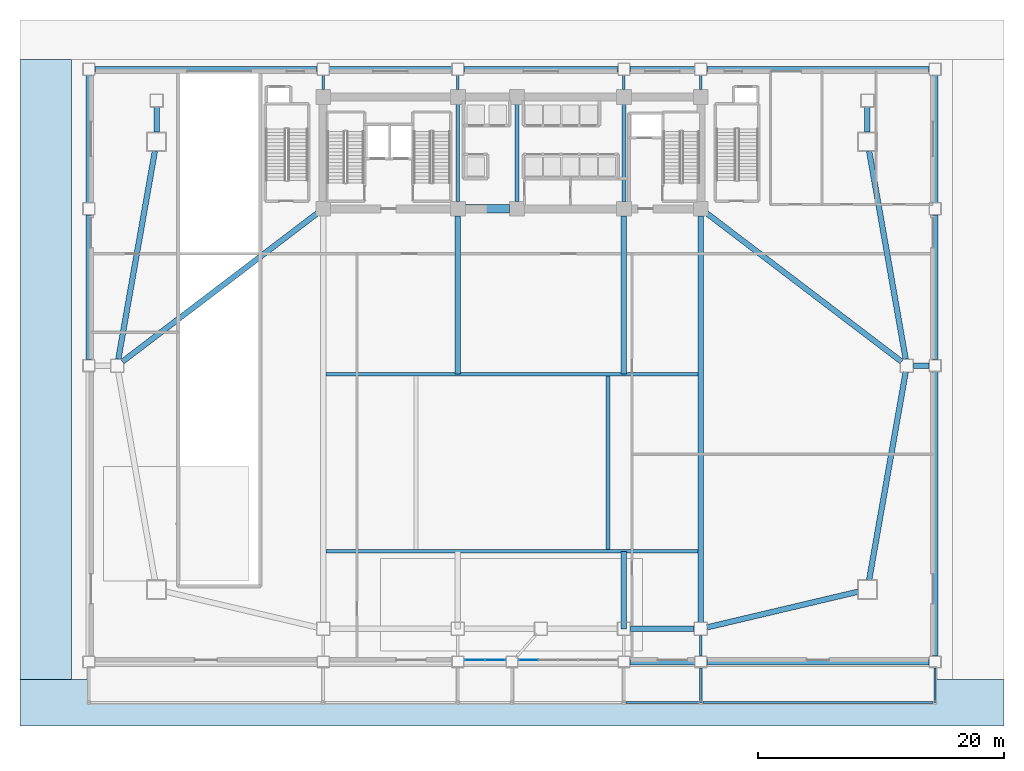
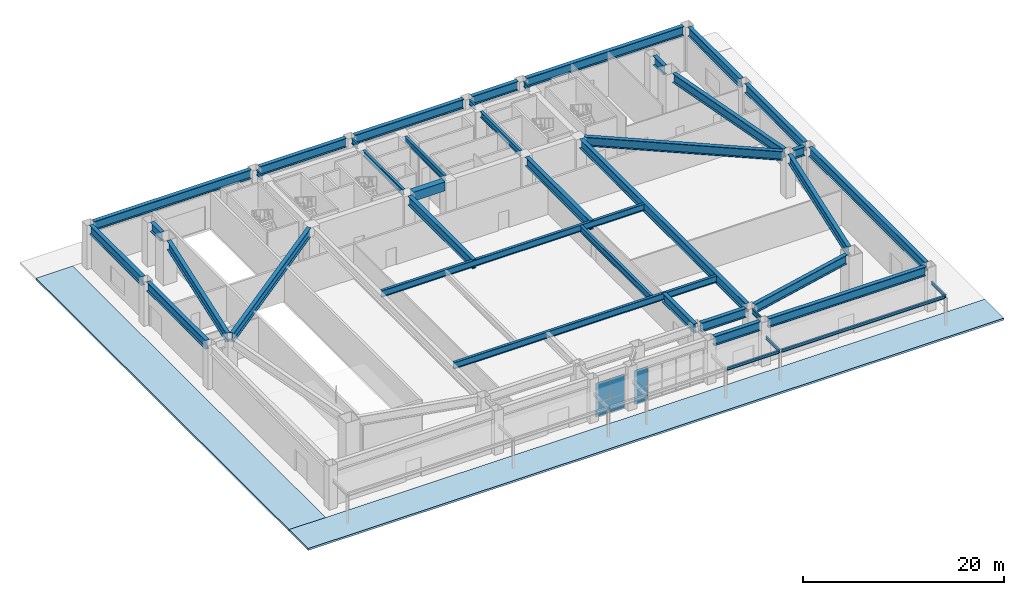
# One storey, part 7 of 18: 42 beams, 6 plates, 2 slabs, 2 elements without a shape of their own.
"""IFC4 building model written with IfcOpenShell, lengths in metres."""

from ifc_helpers import new_model, si_unit, direction, frame, origin, origin_2d, place, context, subcontext, project, spatial, polyline, rectangle, i_section, outline, extrude, source, transform, mapped, material, layer, layer_set, material_profile, profile_set, type_object, element, aggregate, save


model = new_model("IFC4")

# Units and contexts
model_context = context("Model", 3, precision=1e-05, world=origin(), true_north=direction((0.0, 1.0)))
body_context = subcontext(model_context, "Body", "Model", "MODEL_VIEW")
ifc_project = project(units=[si_unit("LENGTHUNIT", "METRE"), si_unit("AREAUNIT", "SQUARE_METRE"), si_unit("VOLUMEUNIT", "CUBIC_METRE"), si_unit("PLANEANGLEUNIT", "RADIAN"), si_unit("MASSUNIT", "GRAM", prefix="KILO")], contexts=[model_context])

# Site, building, storey
site_placement = place(None, origin())
site = spatial("IfcSite", under=ifc_project, at=site_placement, CompositionType="ELEMENT")
building_placement = place(site_placement, origin())
building = spatial("IfcBuilding", under=site, at=building_placement, Name="Giltprow Tower", CompositionType="ELEMENT")
storey_placement = place(building_placement, origin())
storey = spatial("IfcBuildingStorey", under=building, at=storey_placement, Name="L01", CompositionType="ELEMENT", Elevation=0.0)

# Beams
ifc_material_1 = material(Name="Concrete C60", Category="concrete")
ifc_material_profile_1 = material_profile(ifc_material_1, rectangle(XDim=0.699951171875, YDim=1.10009765625, at=origin_2d()), Name="RC 1100x700")
ifc_profile_set_1 = profile_set([ifc_material_profile_1], Name="Concrete C60")
beam_type_1 = type_object("IfcBeamType", Name="BM-CPL-RC1100", PredefinedType="LINTEL", material=ifc_profile_set_1)
shared_shape_1 = source(origin(), body_context, "Body", "SweptSolid", [
    extrude(rectangle(XDim=0.699951171875, YDim=1.10009765625, at=origin_2d()), origin(), (0.0, 0.0, 1.0), 3.6298828125),
])
beam_1_placement = place(storey_placement, frame((31.385009765625, 37.449951171875, 4.7900390625), z_axis=(1.0, 0.0, 0.0), x_axis=(0.0, 1.0, 0.0)))
element("IfcBeam", 1, at=beam_1_placement, inside=storey, type_object=beam_type_1, Name="L01 Core Coupling Beam CB-1", PredefinedType="LINTEL", context=body_context, shape_type="MappedRepresentation", body=[
    mapped(shared_shape_1, transform((0.0, 0.0, 0.0), x_axis=(1.0, 0.0, 0.0), y_axis=(0.0, 1.0, 0.0), z_axis=(0.0, 0.0, 1.0), scale=1.0)),
])
ifc_material_2 = material(Name="Structural steel Q355B", Category="steel")
ifc_material_profile_2 = material_profile(ifc_material_2, i_section(OverallWidth=0.300048828125, OverallDepth=0.699951171875, WebThickness=0.012939453125, FlangeThickness=0.02392578125, at=origin_2d()), Name="HN 700x300x13x24")
ifc_profile_set_2 = profile_set([ifc_material_profile_2], Name="Structural steel Q355B")
beam_type_2 = type_object("IfcBeamType", Name="BM-GIRD-HN700", PredefinedType="BEAM", material=ifc_profile_set_2)
shared_shape_2 = source(origin(), body_context, "Body", "SweptSolid", [
    extrude(i_section(OverallWidth=0.300048828125, OverallDepth=0.699951171875, WebThickness=0.012939453125, FlangeThickness=0.02392578125, at=origin_2d()), origin(), (0.0, 0.0, 1.0), 7.93017578125),
])
for number, where, z_axis, x_axis, name in (
    (2, (30.800048828125, 38.034912109375, 4.989990234375), (0.0, 1.0, 0.0), (-1.0, 0.0, 0.0), "L01 Core Tie Girder M1"),
    (3, (35.60009765625, 38.034912109375, 4.989990234375), (0.0, 1.0, 0.0), (-1.0, 0.0, 0.0), "L01 Core Tie Girder M2"),
    (4, (44.300048828125, 38.034912109375, 4.989990234375), (0.0, 1.0, 0.0), (-1.0, 0.0, 0.0), "L01 Core Tie Girder M3"),
):
    element("IfcBeam", number, at=place(storey_placement, frame(where, z_axis=z_axis, x_axis=x_axis)), inside=storey, type_object=beam_type_2, Name=name, PredefinedType="BEAM", context=body_context, shape_type="MappedRepresentation", body=[
        mapped(shared_shape_2, transform((0.0, 0.0, 0.0), x_axis=(1.0, 0.0, 0.0), y_axis=(0.0, 1.0, 0.0), z_axis=(0.0, 0.0, 1.0), scale=1.0)),
    ])
ifc_material_3 = material(Name="Structural steel Q420GJC", Category="steel")
ifc_material_profile_3 = material_profile(ifc_material_3, i_section(OverallWidth=0.449951171875, OverallDepth=1.10009765625, WebThickness=0.02587890625, FlangeThickness=0.0419921875, at=origin_2d()), Name="WH 1100x450x26x42")
ifc_profile_set_3 = profile_set([ifc_material_profile_3], Name="Structural steel Q420GJC")
beam_type_3 = type_object("IfcBeamType", Name="BM-GIRD-WH1100", PredefinedType="BEAM", material=ifc_profile_set_3)
shared_shape_3 = source(origin(), body_context, "Body", "SweptSolid", [
    extrude(i_section(OverallWidth=0.449951171875, OverallDepth=1.10009765625, WebThickness=0.02587890625, FlangeThickness=0.0419921875, at=origin_2d()), origin(), (0.0, 0.0, 1.0), 5.179931640625),
])
beam_2_placement = place(storey_placement, frame((44.8349609375, 3.300048828125, 4.7900390625), z_axis=(1.0, 0.0, 0.0), x_axis=(0.0, 1.0, 0.0)))
element("IfcBeam", 5, at=beam_2_placement, inside=storey, type_object=beam_type_3, Name="L01 Tower Base Ring Girder 5", PredefinedType="BEAM", context=body_context, shape_type="MappedRepresentation", body=[
    mapped(shared_shape_3, transform((0.0, 0.0, 0.0), x_axis=(1.0, 0.0, 0.0), y_axis=(0.0, 1.0, 0.0), z_axis=(0.0, 0.0, 1.0), scale=1.0)),
])
shared_shape_4 = source(origin(), body_context, "Body", "SweptSolid", [
    extrude(i_section(OverallWidth=0.449951171875, OverallDepth=1.10009765625, WebThickness=0.02587890625, FlangeThickness=0.0419921875, at=origin_2d()), origin(), (0.0, 0.0, 1.0), 12.602294921875),
])
beam_3_placement = place(storey_placement, frame((51.071044921875, 3.423095703125, 4.7900390625), z_axis=(0.973220162017, 0.229875001344, 0.0), x_axis=(-0.229875001344, 0.973220162017, 0.0)))
element("IfcBeam", 6, at=beam_3_placement, inside=storey, type_object=beam_type_3, Name="L01 Tower Base Ring Girder 6", PredefinedType="BEAM", context=body_context, shape_type="MappedRepresentation", body=[
    mapped(shared_shape_4, transform((0.0, 0.0, 0.0), x_axis=(1.0, 0.0, 0.0), y_axis=(0.0, 1.0, 0.0), z_axis=(0.0, 0.0, 1.0), scale=1.0)),
])
shared_shape_5 = source(origin(), body_context, "Body", "SweptSolid", [
    extrude(i_section(OverallWidth=0.449951171875, OverallDepth=1.10009765625, WebThickness=0.02587890625, FlangeThickness=0.0419921875, at=origin_2d()), origin(), (0.0, 0.0, 1.0), 17.1591796875),
])
beam_4_placement = place(storey_placement, frame((64.236083984375, 7.27294921875, 4.7900390625), z_axis=(0.173139216532, 0.984897360997, 0.0), x_axis=(-0.984897360997, 0.173139216532, 0.0)))
element("IfcBeam", 7, at=beam_4_placement, inside=storey, type_object=beam_type_3, Name="L01 Tower Base Ring Girder 7", PredefinedType="BEAM", context=body_context, shape_type="MappedRepresentation", body=[
    mapped(shared_shape_5, transform((0.0, 0.0, 0.0), x_axis=(1.0, 0.0, 0.0), y_axis=(0.0, 1.0, 0.0), z_axis=(0.0, 0.0, 1.0), scale=1.0)),
])
shared_shape_6 = source(origin(), body_context, "Body", "SweptSolid", [
    extrude(i_section(OverallWidth=0.449951171875, OverallDepth=1.10009765625, WebThickness=0.02587890625, FlangeThickness=0.0419921875, at=origin_2d()), origin(), (0.0, 0.0, 1.0), 17.158935546875),
])
for number, where, z_axis, x_axis, name in (
    (8, (67.20703125, 25.22705078125, 4.7900390625), (-0.173141642767, 0.984896934476, 0.0), (-0.984896934476, -0.173141642767, 0.0), "L01 Tower Base Ring Girder 8"),
    (9, (6.1640625, 42.126953125, 4.7900390625), (-0.173141642767, -0.984896934476, 0.0), (0.984896934476, -0.173141642767, 0.0), "L01 Tower Base Ring Girder 11"),
):
    element("IfcBeam", number, at=place(storey_placement, frame(where, z_axis=z_axis, x_axis=x_axis)), inside=storey, type_object=beam_type_3, Name=name, PredefinedType="BEAM", context=body_context, shape_type="MappedRepresentation", body=[
        mapped(shared_shape_6, transform((0.0, 0.0, 0.0), x_axis=(1.0, 0.0, 0.0), y_axis=(0.0, 1.0, 0.0), z_axis=(0.0, 0.0, 1.0), scale=1.0)),
    ])
shared_shape_7 = source(origin(), body_context, "Body", "SweptSolid", [
    extrude(i_section(OverallWidth=0.449951171875, OverallDepth=1.10009765625, WebThickness=0.02587890625, FlangeThickness=0.0419921875, at=origin_2d()), origin(), (0.0, 0.0, 1.0), 2.030029296875),
])
for number, where, z_axis, x_axis, name in (
    (10, (64.10009765625, 43.68505859375, 4.7900390625), (0.0, 1.0, 0.0), (-1.0, 0.0, 0.0), "L01 Tower Base Ring Girder 9"),
    (11, (6.300048828125, 45.715087890625, 4.7900390625), (0.0, -1.0, 0.0), (1.0, 0.0, 0.0), "L01 Tower Base Ring Girder 10"),
):
    element("IfcBeam", number, at=place(storey_placement, frame(where, z_axis=z_axis, x_axis=x_axis)), inside=storey, type_object=beam_type_3, Name=name, PredefinedType="BEAM", context=body_context, shape_type="MappedRepresentation", body=[
        mapped(shared_shape_7, transform((0.0, 0.0, 0.0), x_axis=(1.0, 0.0, 0.0), y_axis=(0.0, 1.0, 0.0), z_axis=(0.0, 0.0, 1.0), scale=1.0)),
    ])
shared_shape_8 = source(origin(), body_context, "Body", "SweptSolid", [
    extrude(i_section(OverallWidth=0.449951171875, OverallDepth=1.10009765625, WebThickness=0.02587890625, FlangeThickness=0.0419921875, at=origin_2d()), origin(), (0.0, 0.0, 1.0), 33.030029296875),
])
beam_5_placement = place(storey_placement, frame((50.550048828125, 3.8349609375, 4.7900390625), z_axis=(0.0, 1.0, 0.0), x_axis=(-1.0, 0.0, 0.0)))
element("IfcBeam", 12, at=beam_5_placement, inside=storey, type_object=beam_type_3, Name="L01 Primary Podium Span Girder S4", PredefinedType="BEAM", context=body_context, shape_type="MappedRepresentation", body=[
    mapped(shared_shape_8, transform((0.0, 0.0, 0.0), x_axis=(1.0, 0.0, 0.0), y_axis=(0.0, 1.0, 0.0), z_axis=(0.0, 0.0, 1.0), scale=1.0)),
])
shared_shape_9 = source(origin(), body_context, "Body", "SweptSolid", [
    extrude(i_section(OverallWidth=0.449951171875, OverallDepth=1.10009765625, WebThickness=0.02587890625, FlangeThickness=0.0419921875, at=origin_2d()), origin(), (0.0, 0.0, 1.0), 19.930908203125),
])
for number, where, z_axis, x_axis, name in (
    (13, (3.52587890625, 25.02392578125, 4.7900390625), (0.795700739064, 0.605689965124, 0.0), (-0.605689965124, 0.795700739064, 0.0), "L01 West Tie 2"),
    (14, (51.014892578125, 37.095947265625, 4.7900390625), (0.795700739064, -0.605689965124, 0.0), (0.605689965124, 0.795700739064, 0.0), "L01 East Tie 2"),
):
    element("IfcBeam", number, at=place(storey_placement, frame(where, z_axis=z_axis, x_axis=x_axis)), inside=storey, type_object=beam_type_3, Name=name, PredefinedType="BEAM", context=body_context, shape_type="MappedRepresentation", body=[
        mapped(shared_shape_9, transform((0.0, 0.0, 0.0), x_axis=(1.0, 0.0, 0.0), y_axis=(0.0, 1.0, 0.0), z_axis=(0.0, 0.0, 1.0), scale=1.0)),
    ])
shared_shape_10 = source(origin(), body_context, "Body", "SweptSolid", [
    extrude(i_section(OverallWidth=0.449951171875, OverallDepth=1.10009765625, WebThickness=0.02587890625, FlangeThickness=0.0419921875, at=origin_2d()), origin(), (0.0, 0.0, 1.0), 18.080078125),
])
for number, where, z_axis, x_axis, name in (
    (15, (51.034912109375, 0.60009765625, 4.7900390625), (1.0, 0.0, 0.0), (0.0, 1.0, 0.0), "L01 Podium South Edge Girder"),
    (16, (1.284912109375, 48.800048828125, 4.7900390625), (1.0, 0.0, 0.0), (0.0, 1.0, 0.0), "L01 Podium North Edge Girder"),
    (17, (51.034912109375, 48.800048828125, 4.7900390625), (1.0, 0.0, 0.0), (0.0, 1.0, 0.0), "L01 Podium North Edge Girder"),
):
    element("IfcBeam", number, at=place(storey_placement, frame(where, z_axis=z_axis, x_axis=x_axis)), inside=storey, type_object=beam_type_3, Name=name, PredefinedType="BEAM", context=body_context, shape_type="MappedRepresentation", body=[
        mapped(shared_shape_10, transform((0.0, 0.0, 0.0), x_axis=(1.0, 0.0, 0.0), y_axis=(0.0, 1.0, 0.0), z_axis=(0.0, 0.0, 1.0), scale=1.0)),
    ])
shared_shape_11 = source(origin(), body_context, "Body", "SweptSolid", [
    extrude(i_section(OverallWidth=0.449951171875, OverallDepth=1.10009765625, WebThickness=0.02587890625, FlangeThickness=0.0419921875, at=origin_2d()), origin(), (0.0, 0.0, 1.0), 9.97998046875),
])
beam_6_placement = place(storey_placement, frame((20.3349609375, 48.800048828125, 4.7900390625), z_axis=(1.0, 0.0, 0.0), x_axis=(0.0, 1.0, 0.0)))
element("IfcBeam", 18, at=beam_6_placement, inside=storey, type_object=beam_type_3, Name="L01 Podium North Edge Girder", PredefinedType="BEAM", context=body_context, shape_type="MappedRepresentation", body=[
    mapped(shared_shape_11, transform((0.0, 0.0, 0.0), x_axis=(1.0, 0.0, 0.0), y_axis=(0.0, 1.0, 0.0), z_axis=(0.0, 0.0, 1.0), scale=1.0)),
])
shared_shape_12 = source(origin(), body_context, "Body", "SweptSolid", [
    extrude(i_section(OverallWidth=0.449951171875, OverallDepth=1.10009765625, WebThickness=0.02587890625, FlangeThickness=0.0419921875, at=origin_2d()), origin(), (0.0, 0.0, 1.0), 5.280029296875),
])
for number, where, z_axis, x_axis, name in (
    (19, (44.784912109375, 0.60009765625, 4.7900390625), (1.0, 0.0, 0.0), (0.0, 1.0, 0.0), "L01 Podium South Edge Girder"),
    (20, (44.784912109375, 48.800048828125, 4.7900390625), (1.0, 0.0, 0.0), (0.0, 1.0, 0.0), "L01 Podium North Edge Girder"),
):
    element("IfcBeam", number, at=place(storey_placement, frame(where, z_axis=z_axis, x_axis=x_axis)), inside=storey, type_object=beam_type_3, Name=name, PredefinedType="BEAM", context=body_context, shape_type="MappedRepresentation", body=[
        mapped(shared_shape_12, transform((0.0, 0.0, 0.0), x_axis=(1.0, 0.0, 0.0), y_axis=(0.0, 1.0, 0.0), z_axis=(0.0, 0.0, 1.0), scale=1.0)),
    ])
shared_shape_13 = source(origin(), body_context, "Body", "SweptSolid", [
    extrude(i_section(OverallWidth=0.449951171875, OverallDepth=1.10009765625, WebThickness=0.02587890625, FlangeThickness=0.0419921875, at=origin_2d()), origin(), (0.0, 0.0, 1.0), 12.530029296875),
])
beam_7_placement = place(storey_placement, frame((31.284912109375, 48.800048828125, 4.7900390625), z_axis=(1.0, 0.0, 0.0), x_axis=(0.0, 1.0, 0.0)))
element("IfcBeam", 21, at=beam_7_placement, inside=storey, type_object=beam_type_3, Name="L01 Podium North Edge Girder", PredefinedType="BEAM", context=body_context, shape_type="MappedRepresentation", body=[
    mapped(shared_shape_13, transform((0.0, 0.0, 0.0), x_axis=(1.0, 0.0, 0.0), y_axis=(0.0, 1.0, 0.0), z_axis=(0.0, 0.0, 1.0), scale=1.0)),
])
shared_shape_14 = source(origin(), body_context, "Body", "SweptSolid", [
    extrude(i_section(OverallWidth=0.449951171875, OverallDepth=1.10009765625, WebThickness=0.02587890625, FlangeThickness=0.0419921875, at=origin_2d()), origin(), (0.0, 0.0, 1.0), 23.130126953125),
])
beam_8_placement = place(storey_placement, frame((69.60009765625, 1.0849609375, 4.7900390625), z_axis=(0.0, 1.0, 0.0), x_axis=(-1.0, 0.0, 0.0)))
element("IfcBeam", 22, at=beam_8_placement, inside=storey, type_object=beam_type_3, Name="L01 Podium Side Girder", PredefinedType="BEAM", context=body_context, shape_type="MappedRepresentation", body=[
    mapped(shared_shape_14, transform((0.0, 0.0, 0.0), x_axis=(1.0, 0.0, 0.0), y_axis=(0.0, 1.0, 0.0), z_axis=(0.0, 0.0, 1.0), scale=1.0)),
])
shared_shape_15 = source(origin(), body_context, "Body", "SweptSolid", [
    extrude(i_section(OverallWidth=0.449951171875, OverallDepth=1.10009765625, WebThickness=0.02587890625, FlangeThickness=0.0419921875, at=origin_2d()), origin(), (0.0, 0.0, 1.0), 11.780029296875),
])
for number, where, z_axis, x_axis, name in (
    (23, (0.800048828125, 25.18505859375, 4.7900390625), (0.0, 1.0, 0.0), (-1.0, 0.0, 0.0), "L01 Podium Side Girder"),
    (24, (69.60009765625, 25.18505859375, 4.7900390625), (0.0, 1.0, 0.0), (-1.0, 0.0, 0.0), "L01 Podium Side Girder"),
):
    element("IfcBeam", number, at=place(storey_placement, frame(where, z_axis=z_axis, x_axis=x_axis)), inside=storey, type_object=beam_type_3, Name=name, PredefinedType="BEAM", context=body_context, shape_type="MappedRepresentation", body=[
        mapped(shared_shape_15, transform((0.0, 0.0, 0.0), x_axis=(1.0, 0.0, 0.0), y_axis=(0.0, 1.0, 0.0), z_axis=(0.0, 0.0, 1.0), scale=1.0)),
    ])
shared_shape_16 = source(origin(), body_context, "Body", "SweptSolid", [
    extrude(i_section(OverallWidth=0.449951171875, OverallDepth=1.10009765625, WebThickness=0.02587890625, FlangeThickness=0.0419921875, at=origin_2d()), origin(), (0.0, 0.0, 1.0), 10.3798828125),
])
for number, where, z_axis, x_axis, name in (
    (25, (0.800048828125, 37.93505859375, 4.7900390625), (0.0, 1.0, 0.0), (-1.0, 0.0, 0.0), "L01 Podium Side Girder"),
    (26, (69.60009765625, 37.93505859375, 4.7900390625), (0.0, 1.0, 0.0), (-1.0, 0.0, 0.0), "L01 Podium Side Girder"),
):
    element("IfcBeam", number, at=place(storey_placement, frame(where, z_axis=z_axis, x_axis=x_axis)), inside=storey, type_object=beam_type_3, Name=name, PredefinedType="BEAM", context=body_context, shape_type="MappedRepresentation", body=[
        mapped(shared_shape_16, transform((0.0, 0.0, 0.0), x_axis=(1.0, 0.0, 0.0), y_axis=(0.0, 1.0, 0.0), z_axis=(0.0, 0.0, 1.0), scale=1.0)),
    ])
ifc_material_profile_4 = material_profile(ifc_material_2, i_section(OverallWidth=0.199951171875, OverallDepth=0.60009765625, WebThickness=0.010986328125, FlangeThickness=0.01708984375, at=origin_2d()), Name="HN 600x200x11x17")
ifc_profile_set_4 = profile_set([ifc_material_profile_4], Name="Structural steel Q355B")
beam_type_4 = type_object("IfcBeamType", Name="BM-GIRD-HN600", PredefinedType="BEAM", material=ifc_profile_set_4)
shared_shape_17 = source(origin(), body_context, "Body", "SweptSolid", [
    extrude(i_section(OverallWidth=0.199951171875, OverallDepth=0.60009765625, WebThickness=0.010986328125, FlangeThickness=0.01708984375, at=origin_2d()), origin(), (0.0, 0.0, 1.0), 1.679931640625),
])
beam_9_placement = place(storey_placement, frame((50.550048828125, 1.0849609375, 5.0400390625), z_axis=(0.0, 1.0, 0.0), x_axis=(-1.0, 0.0, 0.0)))
element("IfcBeam", 27, at=beam_9_placement, inside=storey, type_object=beam_type_4, Name="L01 South Perimeter Tie S4", PredefinedType="BEAM", context=body_context, shape_type="MappedRepresentation", body=[
    mapped(shared_shape_17, transform((0.0, 0.0, 0.0), x_axis=(1.0, 0.0, 0.0), y_axis=(0.0, 1.0, 0.0), z_axis=(0.0, 0.0, 1.0), scale=1.0)),
])
shared_shape_18 = source(origin(), body_context, "Body", "SweptSolid", [
    extrude(i_section(OverallWidth=0.199951171875, OverallDepth=0.60009765625, WebThickness=0.010986328125, FlangeThickness=0.01708984375, at=origin_2d()), origin(), (0.0, 0.0, 1.0), 1.179931640625),
])
for number, where, z_axis, x_axis, name in (
    (28, (19.85009765625, 47.135009765625, 5.0400390625), (0.0, 1.0, 0.0), (-1.0, 0.0, 0.0), "L01 North Perimeter Tie S1"),
    (29, (30.800048828125, 47.135009765625, 5.0400390625), (0.0, 1.0, 0.0), (-1.0, 0.0, 0.0), "L01 North Perimeter Tie S2"),
    (30, (44.300048828125, 47.135009765625, 5.0400390625), (0.0, 1.0, 0.0), (-1.0, 0.0, 0.0), "L01 North Perimeter Tie S3"),
    (31, (50.550048828125, 47.135009765625, 5.0400390625), (0.0, 1.0, 0.0), (-1.0, 0.0, 0.0), "L01 North Perimeter Tie S4"),
):
    element("IfcBeam", number, at=place(storey_placement, frame(where, z_axis=z_axis, x_axis=x_axis)), inside=storey, type_object=beam_type_4, Name=name, PredefinedType="BEAM", context=body_context, shape_type="MappedRepresentation", body=[
        mapped(shared_shape_18, transform((0.0, 0.0, 0.0), x_axis=(1.0, 0.0, 0.0), y_axis=(0.0, 1.0, 0.0), z_axis=(0.0, 0.0, 1.0), scale=1.0)),
    ])
shared_shape_19 = source(origin(), body_context, "Body", "SweptSolid", [
    extrude(i_section(OverallWidth=0.449951171875, OverallDepth=1.10009765625, WebThickness=0.02587890625, FlangeThickness=0.0419921875, at=origin_2d()), origin(), (0.0, 0.0, 1.0), 6.300048828125),
])
beam_10_placement = place(storey_placement, frame((44.300048828125, 3.300048828125, 4.7900390625), z_axis=(0.0, 1.0, 0.0), x_axis=(-1.0, 0.0, 0.0)))
element("IfcBeam", 32, at=beam_10_placement, inside=storey, type_object=beam_type_3, Name="L01 Atrium South Girder S3", PredefinedType="BEAM", context=body_context, shape_type="MappedRepresentation", body=[
    mapped(shared_shape_19, transform((0.0, 0.0, 0.0), x_axis=(1.0, 0.0, 0.0), y_axis=(0.0, 1.0, 0.0), z_axis=(0.0, 0.0, 1.0), scale=1.0)),
])
shared_shape_20 = source(origin(), body_context, "Body", "SweptSolid", [
    extrude(i_section(OverallWidth=0.449951171875, OverallDepth=1.10009765625, WebThickness=0.02587890625, FlangeThickness=0.0419921875, at=origin_2d()), origin(), (0.0, 0.0, 1.0), 12.85009765625),
])
for number, where, z_axis, x_axis, name in (
    (33, (30.800048828125, 24.0, 4.7900390625), (0.0, 1.0, 0.0), (-1.0, 0.0, 0.0), "L01 Atrium North Girder S2"),
    (34, (44.300048828125, 24.0, 4.7900390625), (0.0, 1.0, 0.0), (-1.0, 0.0, 0.0), "L01 Atrium North Girder S3"),
):
    element("IfcBeam", number, at=place(storey_placement, frame(where, z_axis=z_axis, x_axis=x_axis)), inside=storey, type_object=beam_type_3, Name=name, PredefinedType="BEAM", context=body_context, shape_type="MappedRepresentation", body=[
        mapped(shared_shape_20, transform((0.0, 0.0, 0.0), x_axis=(1.0, 0.0, 0.0), y_axis=(0.0, 1.0, 0.0), z_axis=(0.0, 0.0, 1.0), scale=1.0)),
    ])
shared_shape_21 = source(origin(), body_context, "Body", "SweptSolid", [
    extrude(i_section(OverallWidth=0.449951171875, OverallDepth=1.10009765625, WebThickness=0.02587890625, FlangeThickness=0.0419921875, at=origin_2d()), origin(), (0.0, 0.0, 1.0), 1.280029296875),
])
beam_11_placement = place(storey_placement, frame((67.8349609375, 24.699951171875, 4.7900390625), z_axis=(1.0, 0.0, 0.0), x_axis=(0.0, 1.0, 0.0)))
element("IfcBeam", 35, at=beam_11_placement, inside=storey, type_object=beam_type_3, Name="L01 East Tie 1", PredefinedType="BEAM", context=body_context, shape_type="MappedRepresentation", body=[
    mapped(shared_shape_21, transform((0.0, 0.0, 0.0), x_axis=(1.0, 0.0, 0.0), y_axis=(0.0, 1.0, 0.0), z_axis=(0.0, 0.0, 1.0), scale=1.0)),
])
ifc_material_profile_5 = material_profile(ifc_material_2, i_section(OverallWidth=0.300048828125, OverallDepth=0.800048828125, WebThickness=0.013916015625, FlangeThickness=0.02587890625, at=origin_2d()), Name="HN 800x300x14x26")
ifc_profile_set_5 = profile_set([ifc_material_profile_5], Name="Structural steel Q355B")
beam_type_5 = type_object("IfcBeamType", Name="BM-GIRD-HN800", PredefinedType="BEAM", material=ifc_profile_set_5)
shared_shape_22 = source(origin(), body_context, "Body", "SweptSolid", [
    extrude(i_section(OverallWidth=0.300048828125, OverallDepth=0.800048828125, WebThickness=0.013916015625, FlangeThickness=0.02587890625, at=origin_2d()), origin(), (0.0, 0.0, 1.0), 30.260009765625),
])
for number, where, z_axis, x_axis, name in (
    (36, (20.070068359375, 9.60009765625, 4.93994140625), (1.0, 0.0, 0.0), (0.0, 1.0, 0.0), "L01 Atrium Edge Girder S"),
    (37, (20.070068359375, 24.0, 4.93994140625), (1.0, 0.0, 0.0), (0.0, 1.0, 0.0), "L01 Atrium Edge Girder N"),
):
    element("IfcBeam", number, at=place(storey_placement, frame(where, z_axis=z_axis, x_axis=x_axis)), inside=storey, type_object=beam_type_5, Name=name, PredefinedType="BEAM", context=body_context, shape_type="MappedRepresentation", body=[
        mapped(shared_shape_22, transform((0.0, 0.0, 0.0), x_axis=(1.0, 0.0, 0.0), y_axis=(0.0, 1.0, 0.0), z_axis=(0.0, 0.0, 1.0), scale=1.0)),
    ])
shared_shape_23 = source(origin(), body_context, "Body", "SweptSolid", [
    extrude(i_section(OverallWidth=0.300048828125, OverallDepth=0.800048828125, WebThickness=0.013916015625, FlangeThickness=0.02587890625, at=origin_2d()), origin(), (0.0, 0.0, 1.0), 14.10009765625),
])
beam_12_placement = place(storey_placement, frame((43.0, 9.75, 4.93994140625), z_axis=(0.0, 1.0, 0.0), x_axis=(-1.0, 0.0, 0.0)))
element("IfcBeam", 38, at=beam_12_placement, inside=storey, type_object=beam_type_5, Name="L01 Atrium Edge Girder E", PredefinedType="BEAM", context=body_context, shape_type="MappedRepresentation", body=[
    mapped(shared_shape_23, transform((0.0, 0.0, 0.0), x_axis=(1.0, 0.0, 0.0), y_axis=(0.0, 1.0, 0.0), z_axis=(0.0, 0.0, 1.0), scale=1.0)),
])
ifc_material_profile_6 = material_profile(ifc_material_2, i_section(OverallWidth=0.175048828125, OverallDepth=0.35009765625, WebThickness=0.007080078125, FlangeThickness=0.010986328125, at=origin_2d()), Name="HN 350x175x7x11")
ifc_profile_set_6 = profile_set([ifc_material_profile_6], Name="Structural steel Q355B")
beam_type_6 = type_object("IfcBeamType", Name="BM-CANOPY-ARM", PredefinedType="BEAM", material=ifc_profile_set_6)
shared_shape_24 = source(origin(), body_context, "Body", "SweptSolid", [
    extrude(i_section(OverallWidth=0.175048828125, OverallDepth=0.35009765625, WebThickness=0.007080078125, FlangeThickness=0.010986328125, at=origin_2d()), origin(), (0.0, 0.0, 1.0), 2.81005859375),
])
for number, where, z_axis, x_axis, name in (
    (39, (50.550048828125, -2.699951171875, 3.445068359375), (0.0, 1.0, 0.0), (-1.0, 0.0, 0.0), "Promenade Canopy Arm 6"),
    (40, (69.60009765625, -2.699951171875, 3.445068359375), (0.0, 1.0, 0.0), (-1.0, 0.0, 0.0), "Promenade Canopy Arm 7"),
):
    element("IfcBeam", number, at=place(storey_placement, frame(where, z_axis=z_axis, x_axis=x_axis)), inside=storey, type_object=beam_type_6, Name=name, PredefinedType="BEAM", context=body_context, shape_type="MappedRepresentation", body=[
        mapped(shared_shape_24, transform((0.0, 0.0, 0.0), x_axis=(1.0, 0.0, 0.0), y_axis=(0.0, 1.0, 0.0), z_axis=(0.0, 0.0, 1.0), scale=1.0)),
    ])
shared_shape_25 = source(origin(), body_context, "Body", "SweptSolid", [
    extrude(i_section(OverallWidth=0.175048828125, OverallDepth=0.35009765625, WebThickness=0.007080078125, FlangeThickness=0.010986328125, at=origin_2d()), origin(), (0.0, 0.0, 1.0), 18.72998046875),
])
beam_13_placement = place(storey_placement, frame((50.7099609375, -2.699951171875, 3.445068359375), z_axis=(1.0, 0.0, 0.0), x_axis=(0.0, 1.0, 0.0)))
element("IfcBeam", 41, at=beam_13_placement, inside=storey, type_object=beam_type_6, Name="Promenade Canopy Tie Beam 6", PredefinedType="BEAM", context=body_context, shape_type="MappedRepresentation", body=[
    mapped(shared_shape_25, transform((0.0, 0.0, 0.0), x_axis=(1.0, 0.0, 0.0), y_axis=(0.0, 1.0, 0.0), z_axis=(0.0, 0.0, 1.0), scale=1.0)),
])
shared_shape_26 = source(origin(), body_context, "Body", "SweptSolid", [
    extrude(i_section(OverallWidth=0.175048828125, OverallDepth=0.35009765625, WebThickness=0.007080078125, FlangeThickness=0.010986328125, at=origin_2d()), origin(), (0.0, 0.0, 1.0), 5.929931640625),
])
beam_14_placement = place(storey_placement, frame((44.4599609375, -2.699951171875, 3.445068359375), z_axis=(1.0, 0.0, 0.0), x_axis=(0.0, 1.0, 0.0)))
element("IfcBeam", 42, at=beam_14_placement, inside=storey, type_object=beam_type_6, Name="Promenade Canopy Tie Beam 5", PredefinedType="BEAM", context=body_context, shape_type="MappedRepresentation", body=[
    mapped(shared_shape_26, transform((0.0, 0.0, 0.0), x_axis=(1.0, 0.0, 0.0), y_axis=(0.0, 1.0, 0.0), z_axis=(0.0, 0.0, 1.0), scale=1.0)),
])

# Slabs
ifc_material_4 = material(Name="Concrete C40", Category="concrete")
ifc_layer_1 = layer(ifc_material_4, 0.239990234375, Name="Concrete C40")
ifc_layer_set_1 = layer_set([ifc_layer_1], Name="Concrete C40")
slab_type = type_object("IfcSlabType", Name="SLB-PROM-PAVING-240", PredefinedType="USERDEFINED", material=ifc_layer_set_1)
slab_1_placement = place(storey_placement, frame((0.0, 0.0, -0.239990234375)))
element("IfcSlab", 43, at=slab_1_placement, inside=storey, type_object=slab_type, Name="Haihe Riverfront Granite Promenade Plaza South", ObjectType="PAVING", PredefinedType="USERDEFINED", context=body_context, shape_type="SweptSolid", body=[
    extrude(outline(polyline([(-4.800048828125, -4.60009765625), (75.199951171875, -4.60009765625), (75.199951171875, -0.800048828125), (-4.800048828125, -0.800048828125), (-4.800048828125, -4.60009765625)])), origin(), (0.0, 0.0, 1.0), 0.239990234375),
])
slab_2_placement = place(storey_placement, frame((0.0, 0.0, -0.239990234375)))
element("IfcSlab", 44, at=slab_2_placement, inside=storey, type_object=slab_type, Name="West Podium Pedestrian Sidewalk", ObjectType="PAVING", PredefinedType="USERDEFINED", context=body_context, shape_type="SweptSolid", body=[
    extrude(outline(polyline([(-4.800048828125, -0.800048828125), (-0.60009765625, -0.800048828125), (-0.60009765625, 49.60009765625), (-4.800048828125, 49.60009765625), (-4.800048828125, -0.800048828125)])), origin(), (0.0, 0.0, 1.0), 0.239990234375),
])

# Curtain wall, plates
ifc_material_5 = material(Name="Anodized bronze", Category="metal")
ifc_layer_2 = layer(ifc_material_5, 0.179931640625, Name="Anodized bronze")
ifc_layer_set_2 = layer_set([ifc_layer_2], Name="Anodized bronze")
curtain_wall_type = type_object("IfcCurtainWallType", Name="CW-POD-STOREFRONT", PredefinedType="NOTDEFINED", material=ifc_layer_set_2)
curtain_wall_1_placement = place(storey_placement, origin())
curtain_wall_1 = element("IfcCurtainWall", 45, at=curtain_wall_1_placement, inside=storey, type_object=curtain_wall_type, Name="L01 South Waterfront Storefront 3", PredefinedType="NOTDEFINED")
ifc_material_6 = material(Name="Insulated glass", Category="glass")
plate_type = type_object("IfcPlateType", Name="CW-PANEL-IGU-28", PredefinedType="CURTAIN_PANEL", material=ifc_material_6)
shared_shape_27 = source(origin(), body_context, "Body", "SweptSolid", [
    extrude(rectangle(XDim=1.6201171875, YDim=0.028076171875, at=origin_2d()), origin(), (0.0, 0.0, 1.0), 1.7041015625),
])
plate_1_placement = place(storey_placement, frame((32.175048828125, 0.780029296875, 0.053955078125), z_axis=(0.0, 0.0, 1.0), x_axis=(1.0, 0.0, 0.0)))
plate_1 = element("IfcPlate", 46, at=plate_1_placement, type_object=plate_type, Name="L01 South Waterfront Storefront 3 Glazing Panel 1-1", PredefinedType="CURTAIN_PANEL", context=body_context, shape_type="MappedRepresentation", body=[
    mapped(shared_shape_27, transform((0.0, 0.0, 0.0), x_axis=(1.0, 0.0, 0.0), y_axis=(0.0, 1.0, 0.0), z_axis=(0.0, 0.0, 1.0), scale=1.0)),
])
plate_2_placement = place(storey_placement, frame((33.824951171875, 0.780029296875, 0.053955078125), z_axis=(0.0, 0.0, 1.0), x_axis=(1.0, 0.0, 0.0)))
plate_2 = element("IfcPlate", 47, at=plate_2_placement, type_object=plate_type, Name="L01 South Waterfront Storefront 3 Glazing Panel 2-1", PredefinedType="CURTAIN_PANEL", context=body_context, shape_type="MappedRepresentation", body=[
    mapped(shared_shape_27, transform((0.0, 0.0, 0.0), x_axis=(1.0, 0.0, 0.0), y_axis=(0.0, 1.0, 0.0), z_axis=(0.0, 0.0, 1.0), scale=1.0)),
])
shared_shape_28 = source(origin(), body_context, "Body", "SweptSolid", [
    extrude(rectangle(XDim=1.6201171875, YDim=0.028076171875, at=origin_2d()), origin(), (0.0, 0.0, 1.0), 2.3798828125),
])
plate_3_placement = place(storey_placement, frame((32.175048828125, 0.780029296875, 1.7861328125), z_axis=(0.0, 0.0, 1.0), x_axis=(1.0, 0.0, 0.0)))
plate_3 = element("IfcPlate", 48, at=plate_3_placement, type_object=plate_type, Name="L01 South Waterfront Storefront 3 Glazing Panel 1-2", PredefinedType="CURTAIN_PANEL", context=body_context, shape_type="MappedRepresentation", body=[
    mapped(shared_shape_28, transform((0.0, 0.0, 0.0), x_axis=(1.0, 0.0, 0.0), y_axis=(0.0, 1.0, 0.0), z_axis=(0.0, 0.0, 1.0), scale=1.0)),
])
plate_4_placement = place(storey_placement, frame((33.824951171875, 0.780029296875, 1.7861328125), z_axis=(0.0, 0.0, 1.0), x_axis=(1.0, 0.0, 0.0)))
plate_4 = element("IfcPlate", 49, at=plate_4_placement, type_object=plate_type, Name="L01 South Waterfront Storefront 3 Glazing Panel 2-2", PredefinedType="CURTAIN_PANEL", context=body_context, shape_type="MappedRepresentation", body=[
    mapped(shared_shape_28, transform((0.0, 0.0, 0.0), x_axis=(1.0, 0.0, 0.0), y_axis=(0.0, 1.0, 0.0), z_axis=(0.0, 0.0, 1.0), scale=1.0)),
])
aggregate(curtain_wall_1, [plate_1, plate_3, plate_2, plate_4])

curtain_wall_2_placement = place(storey_placement, origin())
curtain_wall_2 = element("IfcCurtainWall", 50, at=curtain_wall_2_placement, inside=storey, type_object=curtain_wall_type, Name="L01 South Waterfront Storefront 4", PredefinedType="NOTDEFINED")
shared_shape_29 = source(origin(), body_context, "Body", "SweptSolid", [
    extrude(rectangle(XDim=1.570068359375, YDim=0.028076171875, at=origin_2d()), origin(), (0.0, 0.0, 1.0), 1.7041015625),
])
plate_5_placement = place(storey_placement, frame((36.550048828125, 0.780029296875, 0.053955078125), z_axis=(0.0, 0.0, 1.0), x_axis=(1.0, 0.0, 0.0)))
plate_5 = element("IfcPlate", 51, at=plate_5_placement, type_object=plate_type, Name="L01 South Waterfront Storefront 4 Glazing Panel 1-1", PredefinedType="CURTAIN_PANEL", context=body_context, shape_type="MappedRepresentation", body=[
    mapped(shared_shape_29, transform((0.0, 0.0, 0.0), x_axis=(1.0, 0.0, 0.0), y_axis=(0.0, 1.0, 0.0), z_axis=(0.0, 0.0, 1.0), scale=1.0)),
])
shared_shape_30 = source(origin(), body_context, "Body", "SweptSolid", [
    extrude(rectangle(XDim=1.570068359375, YDim=0.028076171875, at=origin_2d()), origin(), (0.0, 0.0, 1.0), 2.3798828125),
])
plate_6_placement = place(storey_placement, frame((36.550048828125, 0.780029296875, 1.7861328125), z_axis=(0.0, 0.0, 1.0), x_axis=(1.0, 0.0, 0.0)))
plate_6 = element("IfcPlate", 52, at=plate_6_placement, type_object=plate_type, Name="L01 South Waterfront Storefront 4 Glazing Panel 1-2", PredefinedType="CURTAIN_PANEL", context=body_context, shape_type="MappedRepresentation", body=[
    mapped(shared_shape_30, transform((0.0, 0.0, 0.0), x_axis=(1.0, 0.0, 0.0), y_axis=(0.0, 1.0, 0.0), z_axis=(0.0, 0.0, 1.0), scale=1.0)),
])
aggregate(curtain_wall_2, [plate_5, plate_6])

save(model, "model.ifc")
